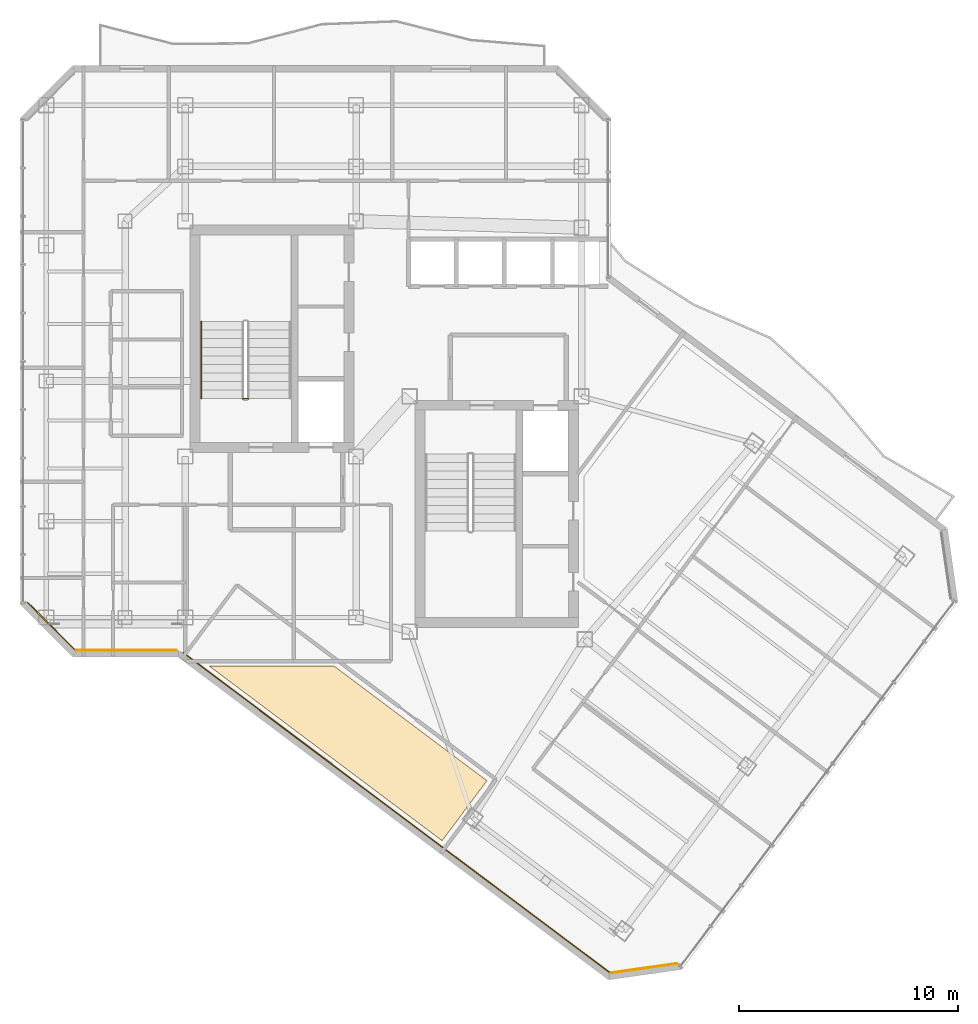
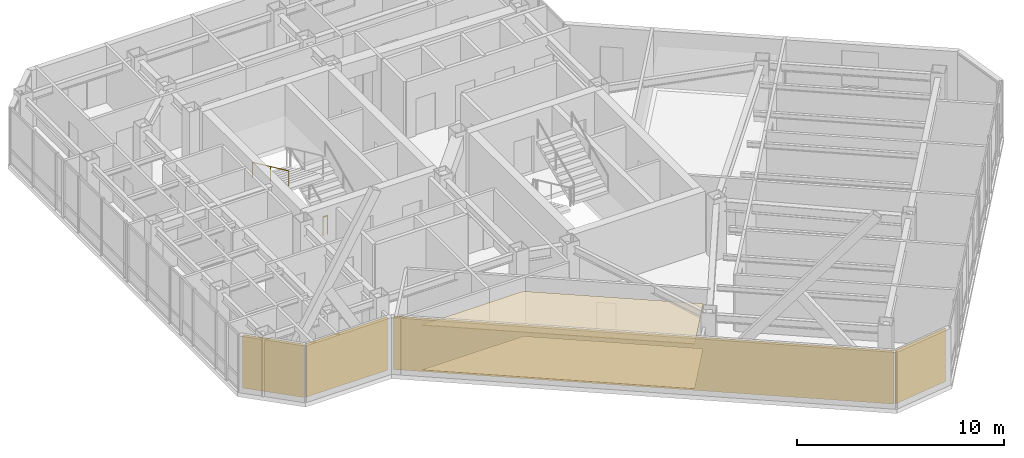
# One storey, part 23 of 25: 6 coverings, 2 railings.
"""IFC4 building model written with IfcOpenShell, lengths in metres."""

from ifc_helpers import new_model, si_unit, direction, frame, origin, origin_2d, place, context, subcontext, project, spatial, polyline, rectangle, circle, outline, extrude, material, layer, layer_set, type_object, element, save


model = new_model("IFC4")

# Units and contexts
model_context = context("Model", 3, precision=1e-05, world=origin(), true_north=direction((0.0, 1.0)))
body_context = subcontext(model_context, "Body", "Model", "MODEL_VIEW")
ifc_project = project(units=[si_unit("LENGTHUNIT", "METRE"), si_unit("AREAUNIT", "SQUARE_METRE"), si_unit("VOLUMEUNIT", "CUBIC_METRE"), si_unit("PLANEANGLEUNIT", "RADIAN"), si_unit("MASSUNIT", "GRAM", prefix="KILO")], contexts=[model_context])

# Site, building, storey
site_placement = place(None, origin())
site = spatial("IfcSite", under=ifc_project, at=site_placement, CompositionType="ELEMENT")
building_placement = place(site_placement, origin())
building = spatial("IfcBuilding", under=site, at=building_placement, Name="Hatsunagi Terrace Concourse", CompositionType="ELEMENT")
storey_placement = place(building_placement, frame((0.0, 0.0, 223.949951171875)))
storey = spatial("IfcBuildingStorey", under=building, at=storey_placement, Name="L59", CompositionType="ELEMENT", Elevation=223.949951171875)

# Covering
ifc_material_1 = material(Name="Hardwood timber", Category="wood")
ifc_layer_1 = layer(ifc_material_1, 0.014892578125)
ifc_layer_set_1 = layer_set([ifc_layer_1], Name="HardwoodTimberFlooring_15")
covering_type_1 = type_object("IfcCoveringType", Name="HardwoodTimberFlooring_15", PredefinedType="FLOORING", material=ifc_layer_set_1)
covering_1_placement = place(storey_placement, origin())
element("IfcCovering", 1, at=covering_1_placement, inside=storey, type_object=covering_type_1, Name="Finished Flooring L59-2", PredefinedType="FLOORING", context=body_context, shape_type="SweptSolid", body=[
    extrude(outline(polyline([(26.626953125, 22.991943359375), (37.278076171875, 15.00390625), (39.330078125, 17.739990234375), (32.327880859375, 22.991943359375), (26.626953125, 22.991943359375)])), origin(), (0.0, 0.0, 1.0), 0.01513671875),
])

# Railings
ifc_material_2 = material(Name="Stainless steel", Category="steel")
ifc_layer_2 = layer(ifc_material_2, 0.044921875)
ifc_layer_set_2 = layer_set([ifc_layer_2], Name="StairPitchHandrail_Tower2000")
railing_type_1 = type_object("IfcRailingType", Name="StairPitchHandrail_Tower2000", PredefinedType="HANDRAIL", material=ifc_layer_set_2)
railing_1_placement = place(storey_placement, frame((26.280029296875, 38.7099609375, 1.97998046875)))
element("IfcRailing", 2, at=railing_1_placement, inside=storey, type_object=railing_type_1, Name="L59 ST-A stair handrail 2", PredefinedType="HANDRAIL", context=body_context, shape_type="SweptSolid", body=[
    extrude(circle(Radius=0.02392578125, at=origin_2d()), frame((0.0, 0.0, 0.8759765625), z_axis=(0.0, -0.907948293929, 0.419082206198), x_axis=(1.0, 0.0, 0.0)), (0.0, 0.0, 1.0), 3.865966796875),
    extrude(circle(Radius=0.02099609375, at=origin_2d()), origin(), (0.0, 0.0, 1.0), 0.851806640625),
    extrude(circle(Radius=0.02099609375, at=origin_2d()), frame((0.0, -1.7548828125, 0.81005859375)), (0.0, 0.0, 1.0), 0.851806640625),
    extrude(circle(Radius=0.02099609375, at=origin_2d()), frame((0.0, -3.510009765625, 1.6201171875)), (0.0, 0.0, 1.0), 0.851806640625),
])
ifc_material_3 = material(Name="Stainless Steel SUS316 Post-and-Rail Guard", Category="steel")
ifc_layer_3 = layer(ifc_material_3, 0.080078125)
ifc_layer_set_3 = layer_set([ifc_layer_3], Name="TerracePlantedGuardRail_1200")
railing_type_2 = type_object("IfcRailingType", Name="TerracePlantedGuardRail_1200", PredefinedType="GUARDRAIL", material=ifc_layer_set_3)
railing_2_placement = place(storey_placement, frame((28.179931640625, 35.179931640625, 0.0)))
element("IfcRailing", 3, at=railing_2_placement, inside=storey, type_object=railing_type_2, Name="Stair ST-A Well Closure Guard L59", PredefinedType="GUARDRAIL", context=body_context, shape_type="SweptSolid", body=[
    extrude(circle(Radius=0.02392578125, at=origin_2d()), frame((0.0, 0.0, 1.09619140625), z_axis=(1.0, 0.0, 0.0), x_axis=(0.0, 1.0, 0.0)), (0.0, 0.0, 1.0), 0.25),
    extrude(circle(Radius=0.02099609375, at=origin_2d()), origin(), (0.0, 0.0, 1.0), 1.072021484375),
    extrude(circle(Radius=0.02099609375, at=origin_2d()), frame((0.25, 0.0, 0.0)), (0.0, 0.0, 1.0), 1.072021484375),
])

# Coverings
ifc_material_4 = material(Name="Unglazed Warm Terracotta Rainscreen Tile", Category="masonry")
ifc_layer_4 = layer(ifc_material_4, 0.044921875)
ifc_layer_set_4 = layer_set([ifc_layer_4], Name="TerracottaRainscreenCladding_45")
covering_type_2 = type_object("IfcCoveringType", Name="TerracottaRainscreenCladding_45", PredefinedType="CLADDING", material=ifc_layer_set_4)
covering_2_placement = place(storey_placement, frame((46.51806640625, 9.178955078125, 0.10009765625), z_axis=(0.0, 0.0, 1.0), x_axis=(-0.989973920543, -0.141250262458, 0.0)))
element("IfcCovering", 4, at=covering_2_placement, inside=storey, type_object=covering_type_2, Name="Terracotta Rainscreen Cladding L59-04", PredefinedType="CLADDING", context=body_context, shape_type="SweptSolid", body=[
    extrude(rectangle(XDim=3.0380859375, YDim=0.044921875, at=origin_2d()), origin(), (0.0, 0.0, 1.0), 3.14990234375),
])
covering_3_placement = place(storey_placement, frame((35.179931640625, 16.29296875, 0.10009765625), z_axis=(0.0, 0.0, 1.0), x_axis=(-0.800005211305, 0.599993051531, 0.0)))
element("IfcCovering", 5, at=covering_3_placement, inside=storey, type_object=covering_type_2, Name="Terracotta Rainscreen Cladding L59-05", PredefinedType="CLADDING", context=body_context, shape_type="SweptSolid", body=[
    extrude(rectangle(XDim=24.34912109375, YDim=0.044921875, at=origin_2d()), origin(), (0.0, 0.0, 1.0), 3.14990234375),
])
covering_4_placement = place(storey_placement, frame((22.85205078125, 23.701904296875, 0.10009765625), z_axis=(0.0, 0.0, 1.0), x_axis=(-1.0, 0.0, 0.0)))
element("IfcCovering", 6, at=covering_4_placement, inside=storey, type_object=covering_type_2, Name="Terracotta Rainscreen Cladding L59-06", PredefinedType="CLADDING", context=body_context, shape_type="SweptSolid", body=[
    extrude(rectangle(XDim=4.549072265625, YDim=0.044921875, at=origin_2d()), origin(), (0.0, 0.0, 1.0), 3.14990234375),
])
covering_5_placement = place(storey_placement, frame((19.4140625, 24.81396484375, 0.10009765625), z_axis=(0.0, 0.0, 1.0), x_axis=(-0.707106781187, 0.707106781187, 0.0)))
element("IfcCovering", 7, at=covering_5_placement, inside=storey, type_object=covering_type_2, Name="Terracotta Rainscreen Cladding L59-07", PredefinedType="CLADDING", context=body_context, shape_type="SweptSolid", body=[
    extrude(rectangle(XDim=3.0380859375, YDim=0.044921875, at=origin_2d()), origin(), (0.0, 0.0, 1.0), 3.14990234375),
])
ifc_material_5 = material(Name="Hardwood timber", Category="wood")
ifc_layer_5 = layer(ifc_material_5, 0.034912109375)
ifc_layer_set_5 = layer_set([ifc_layer_5], Name="TimberBaffleCeiling_35")
covering_type_3 = type_object("IfcCoveringType", Name="TimberBaffleCeiling_35", PredefinedType="CEILING", material=ifc_layer_set_5)
covering_6_placement = place(storey_placement, frame((0.0, 0.0, 2.630126953125)))
element("IfcCovering", 8, at=covering_6_placement, inside=storey, type_object=covering_type_3, Name="Suspended Ceiling L59-2", PredefinedType="CEILING", context=body_context, shape_type="SweptSolid", body=[
    extrude(outline(polyline([(26.626953125, 22.991943359375), (37.278076171875, 15.00390625), (39.330078125, 17.739990234375), (32.327880859375, 22.991943359375), (26.626953125, 22.991943359375)])), origin(), (0.0, 0.0, 1.0), 0.034912109375),
])

save(model, "model.ifc")
